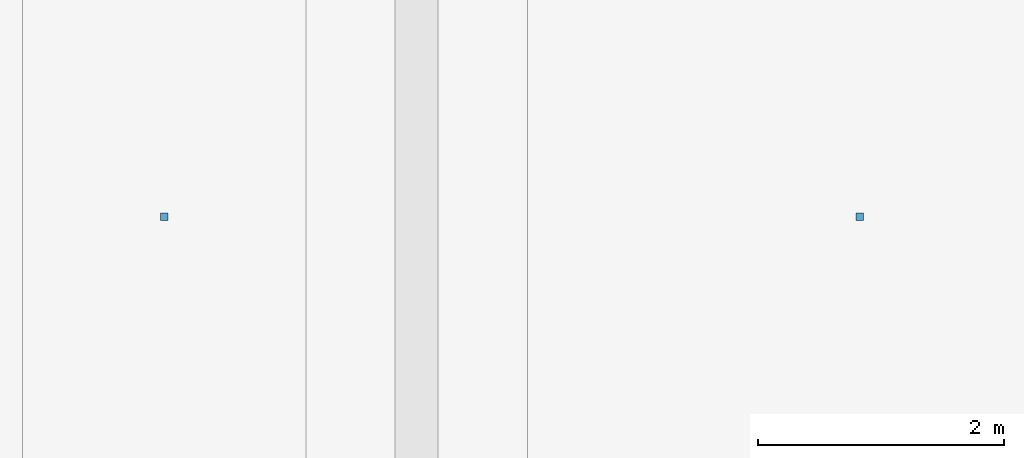
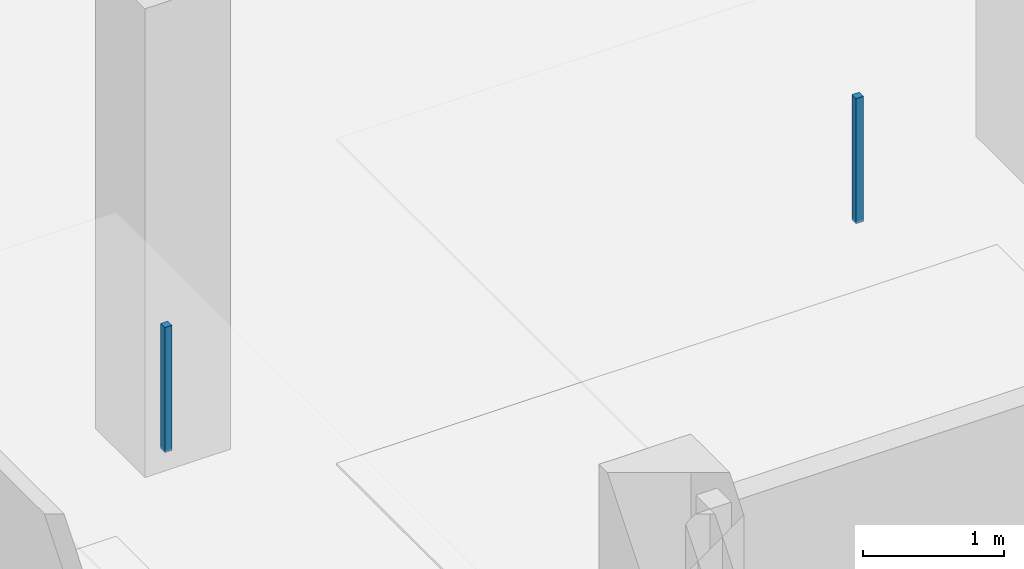
# One storey, part 103 of 108: 2 discrete accessories.
"""IFC4 building model written with IfcOpenShell, lengths in metres."""

from ifc_helpers import new_model, si_unit, direction, frame, origin, origin_2d, place, context, subcontext, project, spatial, rectangle, extrude, material, type_object, element, save


model = new_model("IFC4")

# Units and contexts
model_context = context("Model", 3, precision=1e-05, world=origin(), true_north=direction((0.0, 1.0)))
body_context = subcontext(model_context, "Body", "Model", "MODEL_VIEW")
ifc_project = project(units=[si_unit("LENGTHUNIT", "METRE"), si_unit("AREAUNIT", "SQUARE_METRE"), si_unit("VOLUMEUNIT", "CUBIC_METRE"), si_unit("PLANEANGLEUNIT", "RADIAN"), si_unit("MASSUNIT", "GRAM", prefix="KILO")], contexts=[model_context])

# Site, building, storey
site_placement = place(None, origin())
site = spatial("IfcSite", under=ifc_project, at=site_placement, CompositionType="ELEMENT")
building_placement = place(site_placement, origin())
building = spatial("IfcBuilding", under=site, at=building_placement, Name="Kangsadwip Square Police Headquarters", CompositionType="ELEMENT")
storey_placement = place(building_placement, frame((0.0, 0.0, 9.449951171875)))
storey = spatial("IfcBuildingStorey", under=building, at=storey_placement, Name="L02", CompositionType="ELEMENT", Elevation=9.449951171875)

# Discrete accessories
ifc_material = material(Name="Structural steel IS 2062 E350 (Grade 350, 350 MPa)", Category="steel")
discrete_accessory_type = type_object("IfcDiscreteAccessoryType", Name="VeilOutriggerBracket", PredefinedType="BRACKET", material=ifc_material)
for number, where, z_axis, x_axis, name in (
    (1, (149.14990234375, 104.39990234375, 2.81005859375), (0.0, 0.0, 1.0), (1.0, 0.0, 0.0), "Ceiling Suspension Hanger L02-070"),
    (2, (154.800048828125, 104.39990234375, 2.81005859375), (0.0, 0.0, 1.0), (1.0, 0.0, 0.0), "Ceiling Suspension Hanger L02-071"),
):
    element("IfcDiscreteAccessory", number, at=place(storey_placement, frame(where, z_axis=z_axis, x_axis=x_axis)), inside=storey, type_object=discrete_accessory_type, Name=name, PredefinedType="BRACKET", context=body_context, shape_type="SweptSolid", body=[
        extrude(rectangle(XDim=0.06005859375, YDim=0.06005859375, at=origin_2d()), origin(), (0.0, 0.0, 1.0), 1.080078125),
    ])

save(model, "model.ifc")
